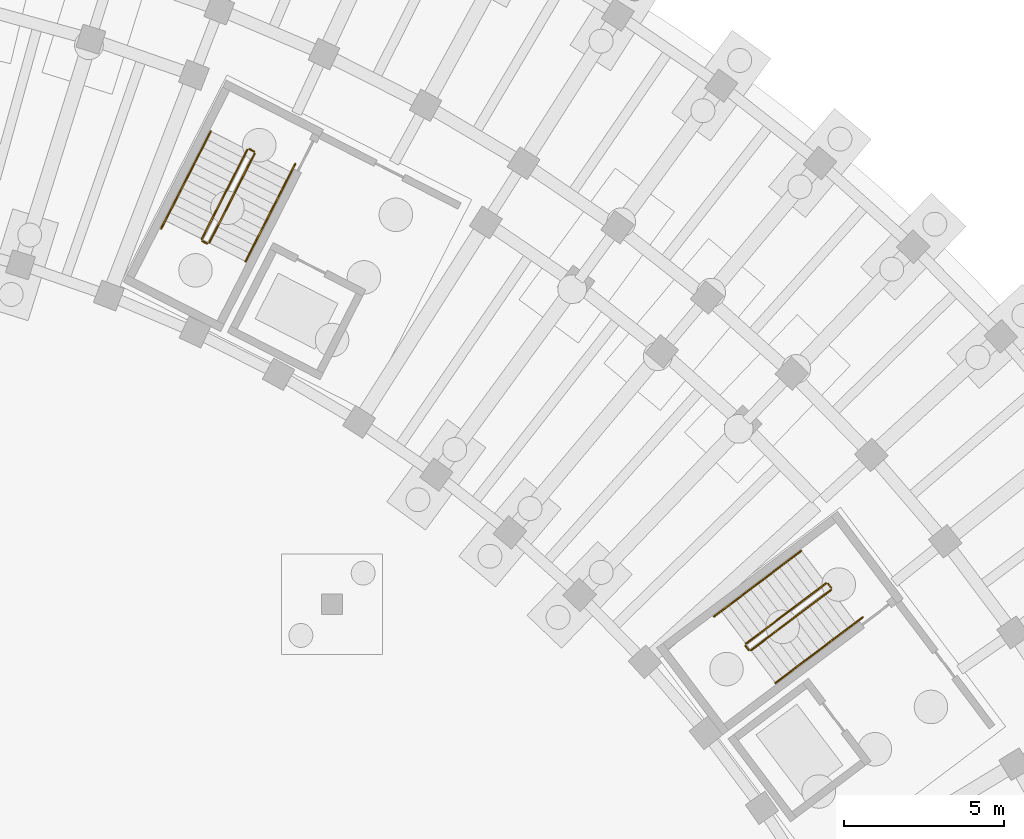
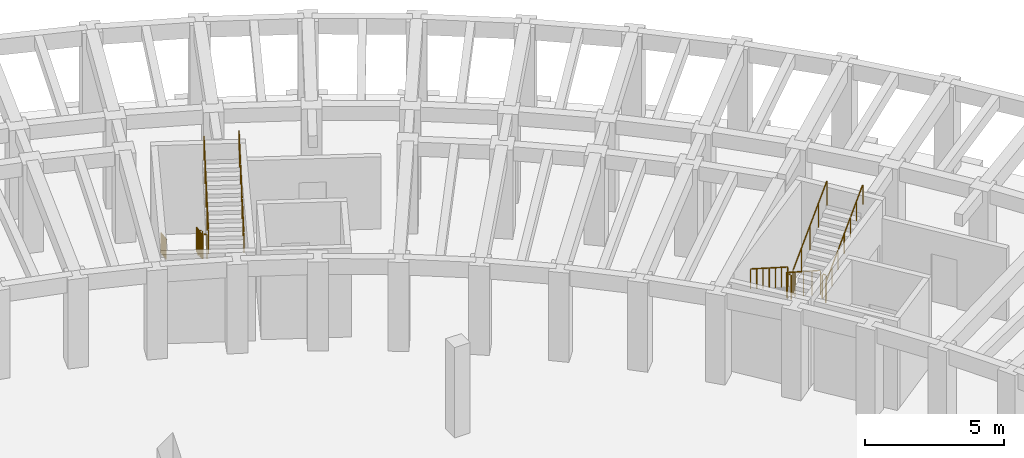
# One storey, part 28 of 29: 20 railings.
"""IFC4 building model written with IfcOpenShell, lengths in metres."""

from ifc_helpers import new_model, si_unit, direction, frame, origin, origin_2d, place, context, subcontext, project, spatial, circle, extrude, material, type_object, element, save


model = new_model("IFC4")

# Units and contexts
model_context = context("Model", 3, precision=1e-05, world=origin(), true_north=direction((0.0, 1.0)))
body_context = subcontext(model_context, "Body", "Model", "MODEL_VIEW")
ifc_project = project(units=[si_unit("LENGTHUNIT", "METRE"), si_unit("AREAUNIT", "SQUARE_METRE"), si_unit("VOLUMEUNIT", "CUBIC_METRE"), si_unit("PLANEANGLEUNIT", "RADIAN"), si_unit("MASSUNIT", "GRAM", prefix="KILO")], contexts=[model_context])

# Site, building, storey
site_placement = place(None, origin())
site = spatial("IfcSite", under=ifc_project, at=site_placement, CompositionType="ELEMENT")
building_placement = place(site_placement, origin())
building = spatial("IfcBuilding", under=site, at=building_placement, Name="Tanwirah Colonnade Gardens", CompositionType="ELEMENT")
storey_placement = place(building_placement, frame((0.0, 0.0, -4.199951171875)))
storey = spatial("IfcBuildingStorey", under=building, at=storey_placement, Name="B1", CompositionType="ELEMENT", Elevation=-4.199951171875)

# Railings
ifc_material_1 = material(Name="Powder-coated galvanized steel", Category="steel")
railing_type_1 = type_object("IfcRailingType", Name="GRD-ST110", PredefinedType="GUARDRAIL", material=ifc_material_1)
railing_1_placement = place(storey_placement, frame((159.46435546875, 92.6533203125, 0.175048828125)))
element("IfcRailing", 1, at=railing_1_placement, inside=storey, type_object=railing_type_1, Name="B1 ST-B1 stair guard 1", PredefinedType="GUARDRAIL", context=body_context, shape_type="SweptSolid", body=[
    extrude(circle(Radius=0.02392578125, at=origin_2d()), frame((-0.021240234375, -0.01611328125, 1.092529296875), z_axis=(-0.68060476769, -0.512826235002, 0.523246025204), x_axis=(0.601780410928, -0.798661591053, 0.0)), (0.0, 0.0, 1.0), 3.615966796875),
    extrude(circle(Radius=0.02099609375, at=origin_2d()), origin(), (0.0, 0.0, 1.0), 1.049072265625),
    extrude(circle(Radius=0.02099609375, at=origin_2d()), frame((-0.6259765625, -0.4716796875, 0.481201171875)), (0.0, 0.0, 1.0), 1.049072265625),
    extrude(circle(Radius=0.02099609375, at=origin_2d()), frame((-1.251953125, -0.943359375, 0.96240234375)), (0.0, 0.0, 1.0), 1.049072265625),
    extrude(circle(Radius=0.02099609375, at=origin_2d()), frame((-1.877685546875, -1.414794921875, 1.443603515625)), (0.0, 0.0, 1.0), 1.049072265625),
    extrude(circle(Radius=0.02099609375, at=origin_2d()), frame((-2.503662109375, -1.886474609375, 1.9248046875)), (0.0, 0.0, 1.0), 1.049072265625),
])
railing_2_placement = place(storey_placement, frame((156.950927734375, 90.69677734375, 2.099853515625)))
element("IfcRailing", 2, at=railing_2_placement, inside=storey, type_object=railing_type_1, Name="B1 ST-B1 stair guard 2", PredefinedType="GUARDRAIL", context=body_context, shape_type="SweptSolid", body=[
    extrude(circle(Radius=0.02392578125, at=origin_2d()), frame((0.018798828125, -0.02490234375, 1.076171875), z_axis=(0.600975757569, -0.799267251183, 0.0), x_axis=(0.799267251183, 0.600975757569, 0.0)), (0.0, 0.0, 1.0), 0.09765625),
    extrude(circle(Radius=0.02099609375, at=origin_2d()), origin(), (0.0, 0.0, 1.0), 1.049072265625),
    extrude(circle(Radius=0.02099609375, at=origin_2d()), frame((0.09619140625, -0.1279296875, 0.0)), (0.0, 0.0, 1.0), 1.049072265625),
])
railing_3_placement = place(storey_placement, frame((157.1171875, 90.55908203125, 2.27490234375)))
element("IfcRailing", 3, at=railing_3_placement, inside=storey, type_object=railing_type_1, Name="B1 ST-B1 stair guard 3", PredefinedType="GUARDRAIL", context=body_context, shape_type="SweptSolid", body=[
    extrude(circle(Radius=0.02392578125, at=origin_2d()), frame((0.021240234375, 0.01611328125, 1.092529296875), z_axis=(0.680557969681, 0.512857336879, 0.523276410622), x_axis=(-0.601830084135, 0.79862416056, 0.0)), (0.0, 0.0, 1.0), 3.6162109375),
    extrude(circle(Radius=0.02099609375, at=origin_2d()), origin(), (0.0, 0.0, 1.0), 1.049072265625),
    extrude(circle(Radius=0.02099609375, at=origin_2d()), frame((0.6259765625, 0.4716796875, 0.481201171875)), (0.0, 0.0, 1.0), 1.049072265625),
    extrude(circle(Radius=0.02099609375, at=origin_2d()), frame((1.251953125, 0.943359375, 0.96240234375)), (0.0, 0.0, 1.0), 1.049072265625),
    extrude(circle(Radius=0.02099609375, at=origin_2d()), frame((1.877685546875, 1.4150390625, 1.44384765625)), (0.0, 0.0, 1.0), 1.049072265625),
    extrude(circle(Radius=0.02099609375, at=origin_2d()), frame((2.503662109375, 1.88671875, 1.925048828125)), (0.0, 0.0, 1.0), 1.049072265625),
])
railing_4_placement = place(storey_placement, frame((159.534423828125, 92.6435546875, 0.0)))
element("IfcRailing", 4, at=railing_4_placement, inside=storey, type_object=railing_type_1, Name="B1 ST-B1 stair guard 4", PredefinedType="GUARDRAIL", context=body_context, shape_type="SweptSolid", body=[
    extrude(circle(Radius=0.02392578125, at=origin_2d()), frame((0.018798828125, -0.02490234375, 1.076171875), z_axis=(0.601709070646, -0.798715339969, 0.0), x_axis=(0.798715339969, 0.601709070646, 0.0)), (0.0, 0.0, 1.0), 0.097412109375),
    extrude(circle(Radius=0.02099609375, at=origin_2d()), origin(), (0.0, 0.0, 1.0), 1.049072265625),
    extrude(circle(Radius=0.02099609375, at=origin_2d()), frame((0.09619140625, -0.127685546875, 0.0)), (0.0, 0.0, 1.0), 1.049072265625),
])
railing_5_placement = place(storey_placement, frame((141.344970703125, 106.230712890625, 0.175048828125)))
element("IfcRailing", 5, at=railing_5_placement, inside=storey, type_object=railing_type_1, Name="B1 ST-B2 stair guard 1", PredefinedType="GUARDRAIL", context=body_context, shape_type="SweptSolid", body=[
    extrude(circle(Radius=0.02392578125, at=origin_2d()), frame((-0.01220703125, -0.023681640625, 1.09228515625), z_axis=(-0.386894688727, -0.75932230333, 0.523203726574), x_axis=(0.891006215274, -0.453991106017, 0.0)), (0.0, 0.0, 1.0), 3.616455078125),
    extrude(circle(Radius=0.02099609375, at=origin_2d()), origin(), (0.0, 0.0, 1.0), 1.049072265625),
    extrude(circle(Radius=0.02099609375, at=origin_2d()), frame((-0.35595703125, -0.6982421875, 0.481201171875)), (0.0, 0.0, 1.0), 1.049072265625),
    extrude(circle(Radius=0.02099609375, at=origin_2d()), frame((-0.711669921875, -1.396728515625, 0.96240234375)), (0.0, 0.0, 1.0), 1.049072265625),
    extrude(circle(Radius=0.02099609375, at=origin_2d()), frame((-1.0673828125, -2.09521484375, 1.443603515625)), (0.0, 0.0, 1.0), 1.049072265625),
    extrude(circle(Radius=0.02099609375, at=origin_2d()), frame((-1.42333984375, -2.79345703125, 1.9248046875)), (0.0, 0.0, 1.0), 1.049072265625),
])
railing_6_placement = place(storey_placement, frame((139.943603515625, 103.3701171875, 2.099853515625)))
element("IfcRailing", 6, at=railing_6_placement, inside=storey, type_object=railing_type_1, Name="B1 ST-B2 stair guard 2", PredefinedType="GUARDRAIL", context=body_context, shape_type="SweptSolid", body=[
    extrude(circle(Radius=0.02392578125, at=origin_2d()), frame((0.02783203125, -0.01416015625, 1.076171875), z_axis=(0.89073666619, -0.4545197372, 0.0), x_axis=(0.4545197372, 0.89073666619, 0.0)), (0.0, 0.0, 1.0), 0.09765625),
    extrude(circle(Radius=0.02099609375, at=origin_2d()), origin(), (0.0, 0.0, 1.0), 1.049072265625),
    extrude(circle(Radius=0.02099609375, at=origin_2d()), frame((0.142578125, -0.07275390625, 0.0)), (0.0, 0.0, 1.0), 1.049072265625),
])
railing_7_placement = place(storey_placement, frame((140.1533203125, 103.3193359375, 2.27490234375)))
element("IfcRailing", 7, at=railing_7_placement, inside=storey, type_object=railing_type_1, Name="B1 ST-B2 stair guard 3", PredefinedType="GUARDRAIL", context=body_context, shape_type="SweptSolid", body=[
    extrude(circle(Radius=0.02392578125, at=origin_2d()), frame((0.01220703125, 0.023681640625, 1.092529296875), z_axis=(0.386900749601, 0.75926783468, 0.523278286553), x_axis=(-0.890990163661, 0.454022607652, 0.0)), (0.0, 0.0, 1.0), 3.6162109375),
    extrude(circle(Radius=0.02099609375, at=origin_2d()), origin(), (0.0, 0.0, 1.0), 1.049072265625),
    extrude(circle(Radius=0.02099609375, at=origin_2d()), frame((0.35595703125, 0.6982421875, 0.481201171875)), (0.0, 0.0, 1.0), 1.049072265625),
    extrude(circle(Radius=0.02099609375, at=origin_2d()), frame((0.711669921875, 1.396484375, 0.96240234375)), (0.0, 0.0, 1.0), 1.049072265625),
    extrude(circle(Radius=0.02099609375, at=origin_2d()), frame((1.0673828125, 2.094970703125, 1.44384765625)), (0.0, 0.0, 1.0), 1.049072265625),
    extrude(circle(Radius=0.02099609375, at=origin_2d()), frame((1.42333984375, 2.793212890625, 1.925048828125)), (0.0, 0.0, 1.0), 1.049072265625),
])
railing_8_placement = place(storey_placement, frame((141.412109375, 106.25244140625, 0.0)))
element("IfcRailing", 8, at=railing_8_placement, inside=storey, type_object=railing_type_1, Name="B1 ST-B2 stair guard 4", PredefinedType="GUARDRAIL", context=body_context, shape_type="SweptSolid", body=[
    extrude(circle(Radius=0.02392578125, at=origin_2d()), frame((0.02783203125, -0.01416015625, 1.076171875), z_axis=(0.891353773095, -0.453308340084, 0.0), x_axis=(0.453308340084, 0.891353773095, 0.0)), (0.0, 0.0, 1.0), 0.097412109375),
    extrude(circle(Radius=0.02099609375, at=origin_2d()), origin(), (0.0, 0.0, 1.0), 1.049072265625),
    extrude(circle(Radius=0.02099609375, at=origin_2d()), frame((0.142578125, -0.072509765625, 0.0)), (0.0, 0.0, 1.0), 1.049072265625),
])
ifc_material_2 = material(Name="Brushed bronze stainless steel", Category="steel")
railing_type_2 = type_object("IfcRailingType", Name="HR-ST090", PredefinedType="HANDRAIL", material=ifc_material_2)
railing_9_placement = place(storey_placement, frame((158.694091796875, 93.67578125, 0.175048828125)))
element("IfcRailing", 9, at=railing_9_placement, inside=storey, type_object=railing_type_2, Name="B1 ST-B1 stair handrail 1", PredefinedType="HANDRAIL", context=body_context, shape_type="SweptSolid", body=[
    extrude(circle(Radius=0.02392578125, at=origin_2d()), frame((-0.021240234375, -0.01611328125, 0.892333984375), z_axis=(-0.678954090239, -0.51181012273, 0.526376045825), x_axis=(0.601951180756, -0.798532889733, 0.0)), (0.0, 0.0, 1.0), 1.2783203125),
    extrude(circle(Radius=0.02099609375, at=origin_2d()), origin(), (0.0, 0.0, 1.0), 0.848876953125),
    extrude(circle(Radius=0.02099609375, at=origin_2d()), frame((-0.455078125, -0.34326171875, 0.35302734375)), (0.0, 0.0, 1.0), 0.848876953125),
    extrude(circle(Radius=0.02099609375, at=origin_2d()), frame((-0.910400390625, -0.686279296875, 0.705810546875)), (0.0, 0.0, 1.0), 0.848876953125),
])
railing_10_placement = place(storey_placement, frame((157.78369140625, 92.989501953125, 0.880859375)))
element("IfcRailing", 10, at=railing_10_placement, inside=storey, type_object=railing_type_2, Name="B1 ST-B1 stair handrail 2", PredefinedType="HANDRAIL", context=body_context, shape_type="SweptSolid", body=[
    extrude(circle(Radius=0.02392578125, at=origin_2d()), frame((-0.021240234375, -0.01611328125, 0.892333984375), z_axis=(-0.6789522671, -0.51162667486, 0.526556705941), x_axis=(0.601814606132, -0.798635824294, 0.0)), (0.0, 0.0, 1.0), 1.2783203125),
    extrude(circle(Radius=0.02099609375, at=origin_2d()), origin(), (0.0, 0.0, 1.0), 0.848876953125),
    extrude(circle(Radius=0.02099609375, at=origin_2d()), frame((-0.455078125, -0.343017578125, 0.35302734375)), (0.0, 0.0, 1.0), 0.848876953125),
    extrude(circle(Radius=0.02099609375, at=origin_2d()), frame((-0.910400390625, -0.68603515625, 0.7060546875)), (0.0, 0.0, 1.0), 0.848876953125),
])
railing_11_placement = place(storey_placement, frame((156.873291015625, 92.303466796875, 1.5869140625)))
element("IfcRailing", 11, at=railing_11_placement, inside=storey, type_object=railing_type_2, Name="B1 ST-B1 stair handrail 3", PredefinedType="HANDRAIL", context=body_context, shape_type="SweptSolid", body=[
    extrude(circle(Radius=0.02392578125, at=origin_2d()), frame((-0.021240234375, -0.01611328125, 0.892333984375), z_axis=(-0.679050390884, -0.511563431202, 0.526491616739), x_axis=(0.601711682591, -0.798713372264, 0.0)), (0.0, 0.0, 1.0), 1.278564453125),
    extrude(circle(Radius=0.02099609375, at=origin_2d()), origin(), (0.0, 0.0, 1.0), 0.848876953125),
    extrude(circle(Radius=0.02099609375, at=origin_2d()), frame((-0.455322265625, -0.343017578125, 0.35302734375)), (0.0, 0.0, 1.0), 0.848876953125),
    extrude(circle(Radius=0.02099609375, at=origin_2d()), frame((-0.91064453125, -0.68603515625, 0.7060546875)), (0.0, 0.0, 1.0), 0.848876953125),
])
for number, where, name in (
    (12, (157.887451171875, 89.536865234375, 2.27490234375), "B1 ST-B1 stair handrail 4"),
    (13, (158.7978515625, 90.222900390625, 2.98095703125), "B1 ST-B1 stair handrail 5"),
):
    element("IfcRailing", number, at=place(storey_placement, frame(where)), inside=storey, type_object=railing_type_2, Name=name, PredefinedType="HANDRAIL", context=body_context, shape_type="SweptSolid", body=[
        extrude(circle(Radius=0.02392578125, at=origin_2d()), frame((0.021240234375, 0.01611328125, 0.892333984375), z_axis=(0.6789522671, 0.51162667486, 0.526556705941), x_axis=(-0.601814606132, 0.798635824294, 0.0)), (0.0, 0.0, 1.0), 1.2783203125),
        extrude(circle(Radius=0.02099609375, at=origin_2d()), origin(), (0.0, 0.0, 1.0), 0.848876953125),
        extrude(circle(Radius=0.02099609375, at=origin_2d()), frame((0.455078125, 0.343017578125, 0.35302734375)), (0.0, 0.0, 1.0), 0.848876953125),
        extrude(circle(Radius=0.02099609375, at=origin_2d()), frame((0.910400390625, 0.68603515625, 0.7060546875)), (0.0, 0.0, 1.0), 0.848876953125),
    ])
railing_12_placement = place(storey_placement, frame((159.708251953125, 90.908935546875, 3.68701171875)))
element("IfcRailing", 14, at=railing_12_placement, inside=storey, type_object=railing_type_2, Name="B1 ST-B1 stair handrail 6", PredefinedType="HANDRAIL", context=body_context, shape_type="SweptSolid", body=[
    extrude(circle(Radius=0.02392578125, at=origin_2d()), frame((0.021240234375, 0.01611328125, 0.892333984375), z_axis=(0.679050390884, 0.511563431202, 0.526491616739), x_axis=(-0.601711682591, 0.798713372264, 0.0)), (0.0, 0.0, 1.0), 1.278564453125),
    extrude(circle(Radius=0.02099609375, at=origin_2d()), origin(), (0.0, 0.0, 1.0), 0.848876953125),
    extrude(circle(Radius=0.02099609375, at=origin_2d()), frame((0.455322265625, 0.343017578125, 0.35302734375)), (0.0, 0.0, 1.0), 0.848876953125),
    extrude(circle(Radius=0.02099609375, at=origin_2d()), frame((0.91064453125, 0.68603515625, 0.7060546875)), (0.0, 0.0, 1.0), 0.848876953125),
])
railing_13_placement = place(storey_placement, frame((140.204345703125, 106.811767578125, 0.175048828125)))
element("IfcRailing", 15, at=railing_13_placement, inside=storey, type_object=railing_type_2, Name="B1 ST-B2 stair handrail 1", PredefinedType="HANDRAIL", context=body_context, shape_type="SweptSolid", body=[
    extrude(circle(Radius=0.02392578125, at=origin_2d()), frame((-0.011962890625, -0.023681640625, 0.892333984375), z_axis=(-0.385834586276, -0.757648755778, 0.526402920681), x_axis=(0.891104860409, -0.453797452345, 0.0)), (0.0, 0.0, 1.0), 1.2783203125),
    extrude(circle(Radius=0.02099609375, at=origin_2d()), origin(), (0.0, 0.0, 1.0), 0.848876953125),
    extrude(circle(Radius=0.02099609375, at=origin_2d()), frame((-0.2587890625, -0.5078125, 0.35302734375)), (0.0, 0.0, 1.0), 0.848876953125),
    extrude(circle(Radius=0.02099609375, at=origin_2d()), frame((-0.517333984375, -1.015869140625, 0.705810546875)), (0.0, 0.0, 1.0), 0.848876953125),
])
railing_14_placement = place(storey_placement, frame((139.68701171875, 105.7958984375, 0.880859375)))
element("IfcRailing", 16, at=railing_14_placement, inside=storey, type_object=railing_type_2, Name="B1 ST-B2 stair handrail 2", PredefinedType="HANDRAIL", context=body_context, shape_type="SweptSolid", body=[
    extrude(circle(Radius=0.02392578125, at=origin_2d()), frame((-0.011962890625, -0.023681640625, 0.892333984375), z_axis=(-0.386005785263, -0.757445314478, 0.526570156123), x_axis=(0.890974108706, -0.454054113091, 0.0)), (0.0, 0.0, 1.0), 1.2783203125),
    extrude(circle(Radius=0.02099609375, at=origin_2d()), origin(), (0.0, 0.0, 1.0), 0.848876953125),
    extrude(circle(Radius=0.02099609375, at=origin_2d()), frame((-0.2587890625, -0.5078125, 0.35302734375)), (0.0, 0.0, 1.0), 0.848876953125),
    extrude(circle(Radius=0.02099609375, at=origin_2d()), frame((-0.517578125, -1.015625, 0.7060546875)), (0.0, 0.0, 1.0), 0.848876953125),
])
railing_15_placement = place(storey_placement, frame((139.16943359375, 104.7802734375, 1.5869140625)))
element("IfcRailing", 17, at=railing_15_placement, inside=storey, type_object=railing_type_2, Name="B1 ST-B2 stair handrail 3", PredefinedType="HANDRAIL", context=body_context, shape_type="SweptSolid", body=[
    extrude(circle(Radius=0.02392578125, at=origin_2d()), frame((-0.011962890625, -0.023681640625, 0.892333984375), z_axis=(-0.385952554167, -0.757522914099, 0.526497540874), x_axis=(0.891018251792, -0.453967482287, 0.0)), (0.0, 0.0, 1.0), 1.278564453125),
    extrude(circle(Radius=0.02099609375, at=origin_2d()), origin(), (0.0, 0.0, 1.0), 0.848876953125),
    extrude(circle(Radius=0.02099609375, at=origin_2d()), frame((-0.2587890625, -0.5078125, 0.35302734375)), (0.0, 0.0, 1.0), 0.848876953125),
    extrude(circle(Radius=0.02099609375, at=origin_2d()), frame((-0.517578125, -1.015869140625, 0.7060546875)), (0.0, 0.0, 1.0), 0.848876953125),
])
railing_16_placement = place(storey_placement, frame((141.2939453125, 102.73828125, 2.27490234375)))
element("IfcRailing", 18, at=railing_16_placement, inside=storey, type_object=railing_type_2, Name="B1 ST-B2 stair handrail 4", PredefinedType="HANDRAIL", context=body_context, shape_type="SweptSolid", body=[
    extrude(circle(Radius=0.02392578125, at=origin_2d()), frame((0.011962890625, 0.023681640625, 0.892333984375), z_axis=(0.385850820464, 0.757498543243, 0.52660716035), x_axis=(-0.891060746095, 0.453884067542, 0.0)), (0.0, 0.0, 1.0), 1.2783203125),
    extrude(circle(Radius=0.02099609375, at=origin_2d()), origin(), (0.0, 0.0, 1.0), 0.848876953125),
    extrude(circle(Radius=0.02099609375, at=origin_2d()), frame((0.2587890625, 0.5078125, 0.35302734375)), (0.0, 0.0, 1.0), 0.848876953125),
    extrude(circle(Radius=0.02099609375, at=origin_2d()), frame((0.517333984375, 1.015625, 0.7060546875)), (0.0, 0.0, 1.0), 0.848876953125),
])
railing_17_placement = place(storey_placement, frame((141.811279296875, 103.75390625, 2.98095703125)))
element("IfcRailing", 19, at=railing_17_placement, inside=storey, type_object=railing_type_2, Name="B1 ST-B2 stair handrail 5", PredefinedType="HANDRAIL", context=body_context, shape_type="SweptSolid", body=[
    extrude(circle(Radius=0.02392578125, at=origin_2d()), frame((0.011962890625, 0.023681640625, 0.892333984375), z_axis=(0.385952554167, 0.757522914099, 0.526497540874), x_axis=(-0.891018251792, 0.453967482287, 0.0)), (0.0, 0.0, 1.0), 1.278564453125),
    extrude(circle(Radius=0.02099609375, at=origin_2d()), origin(), (0.0, 0.0, 1.0), 0.848876953125),
    extrude(circle(Radius=0.02099609375, at=origin_2d()), frame((0.2587890625, 0.5078125, 0.35302734375)), (0.0, 0.0, 1.0), 0.848876953125),
    extrude(circle(Radius=0.02099609375, at=origin_2d()), frame((0.517578125, 1.015869140625, 0.7060546875)), (0.0, 0.0, 1.0), 0.848876953125),
])
railing_18_placement = place(storey_placement, frame((142.328857421875, 104.769775390625, 3.68701171875)))
element("IfcRailing", 20, at=railing_18_placement, inside=storey, type_object=railing_type_2, Name="B1 ST-B2 stair handrail 6", PredefinedType="HANDRAIL", context=body_context, shape_type="SweptSolid", body=[
    extrude(circle(Radius=0.02392578125, at=origin_2d()), frame((0.011962890625, 0.023681640625, 0.892333984375), z_axis=(0.386005785263, 0.757445314478, 0.526570156123), x_axis=(-0.890974108706, 0.454054113091, 0.0)), (0.0, 0.0, 1.0), 1.2783203125),
    extrude(circle(Radius=0.02099609375, at=origin_2d()), origin(), (0.0, 0.0, 1.0), 0.848876953125),
    extrude(circle(Radius=0.02099609375, at=origin_2d()), frame((0.2587890625, 0.5078125, 0.35302734375)), (0.0, 0.0, 1.0), 0.848876953125),
    extrude(circle(Radius=0.02099609375, at=origin_2d()), frame((0.517578125, 1.015625, 0.7060546875)), (0.0, 0.0, 1.0), 0.848876953125),
])

save(model, "model.ifc")
